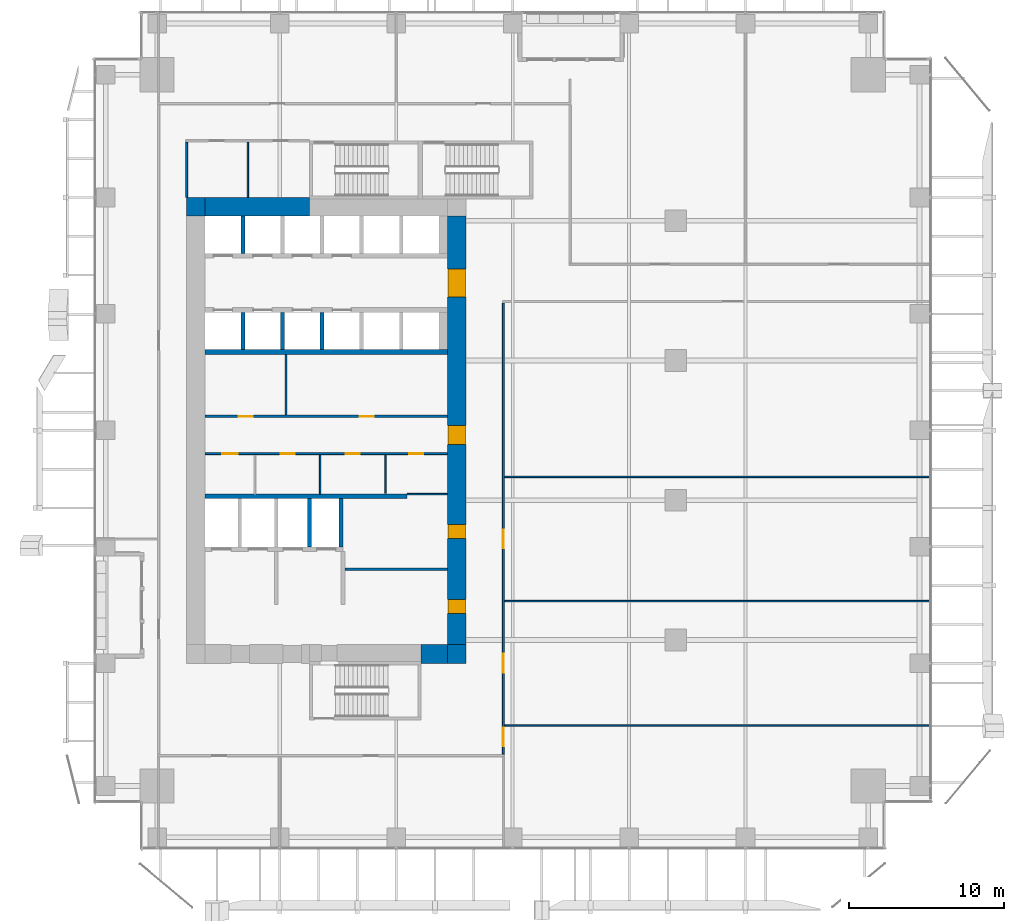
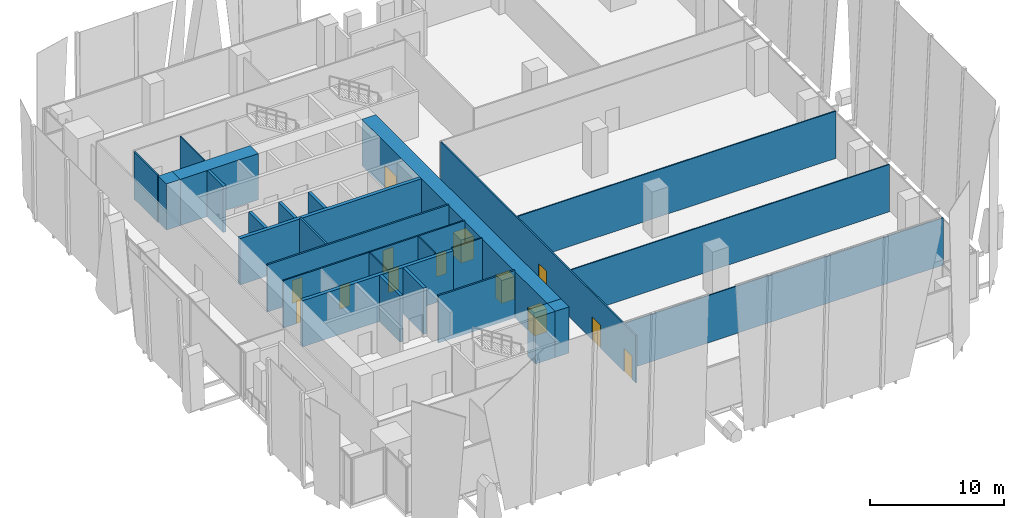
# One storey, part 28 of 35: 26 walls, 13 doors, 13 openings.
"""IFC4 building model written with IfcOpenShell, lengths in metres."""

import ifcopenshell
import ifcopenshell.guid

model = None  # the IFC model being written
_history = None  # IfcOwnerHistory: only IFC2X3 demands one
_inside = {}  # id of a spatial element -> (the spatial element, [elements in it])
_under = {}  # id of a project, library or spatial element -> (it, [spatial elements below it])
_declared = {}  # id of a project -> (the project, [libraries it declares])
_typed = {}  # id of a type object -> (the type object, [elements of that type])
_made_of = {}  # id of a material, layer set ... -> (it, [elements and type objects made of it])


def new_model(schema):
    """Start an empty IFC model of exactly this schema.

    Asked for "IFC4X3", IfcOpenShell would pick the latest addendum, in which some entities
    have other attributes; the version numbers below select the first issue.
    IFC2X3 requires an IfcOwnerHistory on every rooted entity: one is made here for all.
    """
    global model, _history
    if schema == "IFC4X3":
        model = ifcopenshell.file(schema_version=(4, 3, 0, 0))
    else:
        model = ifcopenshell.file(schema=schema)
    _inside.clear()
    _under.clear()
    _declared.clear()
    _typed.clear()
    _made_of.clear()
    _history = None
    if model.schema == "IFC2X3":
        org = make("IfcOrganization", Name="unknown")
        user = make(
            "IfcPersonAndOrganization",
            ThePerson=make("IfcPerson", FamilyName="unknown"),
            TheOrganization=org,
        )
        app = make(
            "IfcApplication",
            ApplicationDeveloper=org,
            Version="unknown",
            ApplicationFullName="unknown",
            ApplicationIdentifier="unknown",
        )
        _history = make(
            "IfcOwnerHistory",
            OwningUser=user,
            OwningApplication=app,
            ChangeAction="ADDED",
            CreationDate=0,
        )
    return model


def make(cls, **values):
    """One entity of the class cls with the attributes given. An attribute that is None is left unset."""
    return model.create_entity(
        cls, **{name: value for name, value in values.items() if value is not None}
    )


def rooted(cls, **values):
    """An entity with a GlobalId (a new one), such as an element, a storey or a relation."""
    return make(cls, GlobalId=ifcopenshell.guid.new(), OwnerHistory=_history, **values)


def si_unit(unit_type, name, prefix=None):
    """IfcSIUnit, for example si_unit("LENGTHUNIT", "METRE", prefix="MILLI")."""
    return make("IfcSIUnit", UnitType=unit_type, Prefix=prefix, Name=name)


def assignment(units):
    """IfcUnitAssignment: the units of a project."""
    return None if units is None else make("IfcUnitAssignment", Units=units)


def point(xyz):
    """IfcCartesianPoint."""
    return None if xyz is None else make("IfcCartesianPoint", Coordinates=xyz)


def direction(xyz):
    """IfcDirection."""
    return None if xyz is None else make("IfcDirection", DirectionRatios=xyz)


def frame(location, z_axis=None, x_axis=None):
    """IfcAxis2Placement3D, a coordinate frame: its origin and axes. An axis left out is left unset."""
    return make(
        "IfcAxis2Placement3D",
        Location=point(location),
        Axis=direction(z_axis),
        RefDirection=direction(x_axis),
    )


def frame_2d(location, x_axis=None):
    """IfcAxis2Placement2D, a coordinate frame in the plane: its origin and x axis."""
    return make(
        "IfcAxis2Placement2D", Location=point(location), RefDirection=direction(x_axis)
    )


def origin():
    """The frame at (0, 0, 0) with its axes left unset."""
    return frame((0.0, 0.0, 0.0))


def place(relative_to, where):
    """IfcLocalPlacement: puts the frame where relative to a parent placement (None: the world)."""
    return make(
        "IfcLocalPlacement", PlacementRelTo=relative_to, RelativePlacement=where
    )


def context(
    kind, dimensions, precision=None, world=None, true_north=None, identifier=None
):
    """IfcGeometricRepresentationContext, for example the 3D "Model" context."""
    return make(
        "IfcGeometricRepresentationContext",
        ContextIdentifier=identifier,
        ContextType=kind,
        CoordinateSpaceDimension=dimensions,
        Precision=precision,
        WorldCoordinateSystem=world,
        TrueNorth=true_north,
    )


def subcontext(parent, identifier, kind, view, scale=None):
    """IfcGeometricRepresentationSubContext, for example "Body" below "Model"."""
    return make(
        "IfcGeometricRepresentationSubContext",
        ContextIdentifier=identifier,
        ContextType=kind,
        ParentContext=parent,
        TargetScale=scale,
        TargetView=view,
    )


def project(units=None, contexts=None):
    """IfcProject with its units and contexts."""
    return rooted(
        "IfcProject",
        Name="project",
        RepresentationContexts=contexts,
        UnitsInContext=assignment(units),
    )


def spatial(cls, under=None, at=None, **own):
    """A site, building, storey or space (cls), placed at a placement, below another one or the project."""
    s = rooted(cls, ObjectPlacement=at, **own)
    if under is not None:
        _under.setdefault(under.id(), (under, []))[1].append(s)
    return s


def profile(cls, at=None, kind="AREA", **sizes):
    """A parametric profile (cls). Its sizes go by their IFC names, for example OverallWidth=200.0."""
    return make(cls, ProfileType=kind, Position=at, **sizes)


def rectangle(**sizes):
    """IfcRectangleProfileDef."""
    return profile("IfcRectangleProfileDef", **sizes)


def extrude(swept, where, along, depth):
    """IfcExtrudedAreaSolid: the profile swept, set in the frame where, extruded along a direction by depth."""
    return make(
        "IfcExtrudedAreaSolid",
        SweptArea=swept,
        Position=where,
        ExtrudedDirection=direction(along),
        Depth=depth,
    )


def shape(context_of_items, identifier, shape_type, items):
    """IfcShapeRepresentation: the items that make up one representation, for example the "Body"."""
    return make(
        "IfcShapeRepresentation",
        ContextOfItems=context_of_items,
        RepresentationIdentifier=identifier,
        RepresentationType=shape_type,
        Items=items,
    )


def source(mapping_origin, context_of_items, identifier, shape_type, items):
    """IfcRepresentationMap: a shape defined once, which mapped items show again and again."""
    return make(
        "IfcRepresentationMap",
        MappingOrigin=mapping_origin,
        MappedRepresentation=shape(context_of_items, identifier, shape_type, items),
    )


def transform(
    local_origin,
    x_axis=None,
    y_axis=None,
    z_axis=None,
    scale=None,
    scale2=None,
    scale3=None,
    uniform=True,
):
    """IfcCartesianTransformationOperator3D, or its non-uniform kind. x_axis, y_axis, z_axis: its Axis1, 2, 3."""
    if uniform:
        return make(
            "IfcCartesianTransformationOperator3D",
            Axis1=direction(x_axis),
            Axis2=direction(y_axis),
            LocalOrigin=point(local_origin),
            Scale=scale,
            Axis3=direction(z_axis),
        )
    return make(
        "IfcCartesianTransformationOperator3DnonUniform",
        Axis1=direction(x_axis),
        Axis2=direction(y_axis),
        LocalOrigin=point(local_origin),
        Scale=scale,
        Axis3=direction(z_axis),
        Scale2=scale2,
        Scale3=scale3,
    )


def mapped(mapping_source, mapping_target):
    """IfcMappedItem: shows the shape of a source again, moved by a transform."""
    return make(
        "IfcMappedItem", MappingSource=mapping_source, MappingTarget=mapping_target
    )


def material(Name=None, Category=None):
    """IfcMaterial."""
    return make("IfcMaterial", Name=Name, Category=Category)


def layer(
    of_material, thickness, ventilated=None, Name=None, Category=None, Priority=None
):
    """IfcMaterialLayer: one layer of a wall or slab, of a material (None: an air gap)."""
    return make(
        "IfcMaterialLayer",
        Material=of_material,
        LayerThickness=thickness,
        IsVentilated=ventilated,
        Name=Name,
        Category=Category,
        Priority=Priority,
    )


def layer_set(layers, Name=None):
    """IfcMaterialLayerSet."""
    return make("IfcMaterialLayerSet", MaterialLayers=layers, LayerSetName=Name)


def made_of(thing, what):
    """Note that an element or type object is made of a material, layer set ...; save() writes the relation."""
    if what is not None:
        _made_of.setdefault(what.id(), (what, []))[1].append(thing)
    return thing


def type_object(cls, material=None, **own):
    """A type object (cls), such as IfcWallType, which elements share."""
    return made_of(rooted(cls, **own), material)


def element(
    cls,
    number,
    at=None,
    inside=None,
    cuts=None,
    type_object=None,
    material=None,
    context=None,
    identifier="Body",
    shape_type=None,
    held_by="IfcProductDefinitionShape",
    body=None,
    shapes=None,
    **own,
):
    """One element of the class cls, such as IfcWall. Its Tag is "e" and its number.

    at: its placement. inside: the storey or other place that contains it. cuts: it is an
    opening in that element (IfcRelVoidsElement). A single representation is given by context,
    identifier, shape_type and body (its items); several are given by shapes. held_by: the class
    of the entity that holds the representations. save() writes the other relations.
    """
    e = rooted(cls, Tag="e%d" % number, ObjectPlacement=at, **own)
    if body is not None:
        shapes = [shape(context, identifier, shape_type, body)]
    if shapes is not None:
        e.Representation = make(held_by, Representations=shapes)
    if inside is not None:
        _inside.setdefault(inside.id(), (inside, []))[1].append(e)
    if cuts is not None:
        rooted(
            "IfcRelVoidsElement", RelatingBuildingElement=cuts, RelatedOpeningElement=e
        )
    if type_object is not None:
        _typed.setdefault(type_object.id(), (type_object, []))[1].append(e)
    return made_of(e, material)


def fill(opening, filler):
    """IfcRelFillsElement: the door or window that sits in an opening."""
    return rooted(
        "IfcRelFillsElement",
        RelatingOpeningElement=opening,
        RelatedBuildingElement=filler,
    )


def aggregate(whole, parts):
    """IfcRelAggregates: a whole, such as a stair, and the parts it consists of."""
    return rooted("IfcRelAggregates", RelatingObject=whole, RelatedObjects=parts)


def save(model, path):
    """Write the relations noted so far, then the file.

    IfcRelAggregates (storeys below a building ...), IfcRelContainedInSpatialStructure (elements
    in a storey), IfcRelDefinesByType, IfcRelAssociatesMaterial and IfcRelDeclares: one each for
    every whole, place, type object, material and project.
    """
    for whole, parts in _under.values():
        aggregate(whole, parts)
    for where, things in _inside.values():
        rooted(
            "IfcRelContainedInSpatialStructure",
            RelatedElements=things,
            RelatingStructure=where,
        )
    for kind, things in _typed.values():
        rooted("IfcRelDefinesByType", RelatedObjects=things, RelatingType=kind)
    for what, things in _made_of.values():
        rooted("IfcRelAssociatesMaterial", RelatedObjects=things, RelatingMaterial=what)
    for by, libraries in _declared.values():
        rooted("IfcRelDeclares", RelatingContext=by, RelatedDefinitions=libraries)
    model.write(path)


model = new_model("IFC4")

# Units and contexts
model_context = context("Model", 3, precision=1e-05, world=origin(), true_north=direction((0.0, 1.0)))
body_context = subcontext(model_context, "Body", "Model", "MODEL_VIEW")
ifc_project = project(units=[si_unit("LENGTHUNIT", "METRE"), si_unit("AREAUNIT", "SQUARE_METRE"), si_unit("VOLUMEUNIT", "CUBIC_METRE"), si_unit("PLANEANGLEUNIT", "RADIAN"), si_unit("MASSUNIT", "GRAM", prefix="KILO")], contexts=[model_context])

# Site, building, storey
site_placement = place(None, origin())
site = spatial("IfcSite", under=ifc_project, at=site_placement, CompositionType="ELEMENT")
building_placement = place(site_placement, origin())
building = spatial("IfcBuilding", under=site, at=building_placement, Name="Khomas Fold Tower", CompositionType="ELEMENT")
storey_placement = place(building_placement, frame((0.0, 0.0, 87.0)))
storey = spatial("IfcBuildingStorey", under=building, at=storey_placement, Name="L18", CompositionType="ELEMENT", Elevation=87.0)

# Walls
ifc_material_1 = material(Name="Concrete C70/85", Category="concrete")
ifc_layer_1 = layer(ifc_material_1, 1.199951171875)
ifc_layer_set_1 = layer_set([ifc_layer_1], Name="Concrete C70/85")
wall_type_1 = type_object("IfcWallType", Name="Core wall 1200", PredefinedType="SHEAR", material=ifc_layer_set_1)
shared_shape_1 = source(origin(), body_context, "Body", "SweptSolid", [
    extrude(rectangle(XDim=6.699951171875, YDim=1.199951171875, at=frame_2d((3.35009765625, 0.0))), origin(), (0.0, 0.0, 1.0), 4.199951171875),
])
wall_1_placement = place(storey_placement, frame((7.199951171875, 41.39990234375, 0.0), z_axis=(0.0, 0.0, 1.0), x_axis=(1.0, 0.0, 0.0)))
element("IfcWall", 1, at=wall_1_placement, inside=storey, type_object=wall_type_1, Name="Core wall CW-L-N-B2", PredefinedType="SHEAR", context=body_context, shape_type="MappedRepresentation", body=[
    mapped(shared_shape_1, transform((0.0, 0.0, 0.0))),
])
ifc_material_2 = material(Name="Concrete C70/85", Category="concrete")
ifc_layer_2 = layer(ifc_material_2, 1.199951171875)
ifc_layer_set_2 = layer_set([ifc_layer_2], Name="Concrete C70/85")
wall_type_2 = type_object("IfcWallType", Name="Core corner wall 1200", PredefinedType="SHEAR", material=ifc_layer_set_2)
shared_shape_2 = source(origin(), body_context, "Body", "SweptSolid", [
    extrude(rectangle(XDim=1.199951171875, YDim=1.199951171875, at=frame_2d((0.60009765625, 0.0))), origin(), (0.0, 0.0, 1.0), 4.199951171875),
])
for number, where, z_axis, x_axis, name in (
    (2, (6.0, 41.39990234375, 0.0), (0.0, 0.0, 1.0), (1.0, 0.0, 0.0), "Core wall CW-L-NW-B2"),
    (3, (22.800048828125, 12.60009765625, 0.0), (0.0, 0.0, 1.0), (1.0, 0.0, 0.0), "Core wall CW-L-SE-B2"),
):
    element("IfcWall", number, at=place(storey_placement, frame(where, z_axis=z_axis, x_axis=x_axis)), inside=storey, type_object=wall_type_2, Name=name, PredefinedType="SHEAR", context=body_context, shape_type="MappedRepresentation", body=[
        mapped(shared_shape_2, transform((0.0, 0.0, 0.0))),
    ])
shared_shape_3 = source(origin(), body_context, "Body", "SweptSolid", [
    extrude(rectangle(XDim=1.699951171875, YDim=1.199951171875, at=frame_2d((0.85009765625, 0.0))), origin(), (0.0, 0.0, 1.0), 4.199951171875),
])
wall_2_placement = place(storey_placement, frame((21.10009765625, 12.60009765625, 0.0), z_axis=(0.0, 0.0, 1.0), x_axis=(1.0, 0.0, 0.0)))
element("IfcWall", 4, at=wall_2_placement, inside=storey, type_object=wall_type_1, Name="Core wall CW-L-S-B2-2", PredefinedType="SHEAR", context=body_context, shape_type="MappedRepresentation", body=[
    mapped(shared_shape_3, transform((0.0, 0.0, 0.0))),
])

# Wall, openings, doors
shared_shape_4 = source(origin(), body_context, "Body", "SweptSolid", [
    extrude(rectangle(XDim=27.60009765625, YDim=1.199951171875, at=frame_2d((13.800048828125, 0.0))), origin(), (0.0, 0.0, 1.0), 4.199951171875),
])
wall_3_placement = place(storey_placement, frame((23.39990234375, 13.199951171875, 0.0), z_axis=(0.0, 0.0, 1.0), x_axis=(0.0, 1.0, 0.0)))
wall_3 = element("IfcWall", 5, at=wall_3_placement, inside=storey, type_object=wall_type_1, Name="Core wall CW-L-E-B2", PredefinedType="SHEAR", context=body_context, shape_type="MappedRepresentation", body=[
    mapped(shared_shape_4, transform((0.0, 0.0, 0.0))),
])
shared_shape_5 = source(origin(), body_context, "Body", "SweptSolid", [
    extrude(rectangle(XDim=1.800048828125, YDim=2.10009765625, at=frame_2d((0.89990234375, 1.050048828125))), frame((0.0, 0.60986328125, 0.0), z_axis=(0.0, -1.0, 0.0), x_axis=(1.0, 0.0, 0.0)), (0.0, 0.0, 1.0), 1.219970703125),
])
opening_1_placement = place(wall_3_placement, frame((22.39990234375, 0.0, 0.0)))
opening_1 = element("IfcOpeningElement", 6, at=opening_1_placement, cuts=wall_3, Name="Opening 0015", PredefinedType="OPENING", context=body_context, shape_type="MappedRepresentation", body=[
    mapped(shared_shape_5, transform((0.0, 0.0, 0.0))),
])
shared_shape_6 = source(origin(), body_context, "Body", "SweptSolid", [
    extrude(rectangle(XDim=1.199951171875, YDim=2.10009765625, at=frame_2d((0.60009765625, 1.050048828125))), frame((0.0, 0.60986328125, 0.0), z_axis=(0.0, -1.0, 0.0), x_axis=(1.0, 0.0, 0.0)), (0.0, 0.0, 1.0), 1.219970703125),
])
opening_2_placement = place(wall_3_placement, frame((12.89990234375, 0.0, 0.0)))
opening_2 = element("IfcOpeningElement", 7, at=opening_2_placement, cuts=wall_3, Name="Opening 0001", PredefinedType="OPENING", context=body_context, shape_type="MappedRepresentation", body=[
    mapped(shared_shape_6, transform((0.0, 0.0, 0.0))),
])
shared_shape_7 = source(origin(), body_context, "Body", "SweptSolid", [
    extrude(rectangle(XDim=0.89990234375, YDim=2.10009765625, at=frame_2d((0.449951171875, 1.050048828125))), frame((0.0, 0.60986328125, 0.0), z_axis=(0.0, -1.0, 0.0), x_axis=(1.0, 0.0, 0.0)), (0.0, 0.0, 1.0), 1.219970703125),
])
opening_3_placement = place(wall_3_placement, frame((2.0, 0.0, 0.0)))
opening_3 = element("IfcOpeningElement", 8, at=opening_3_placement, cuts=wall_3, Name="Opening 0003", PredefinedType="OPENING", context=body_context, shape_type="MappedRepresentation", body=[
    mapped(shared_shape_7, transform((0.0, 0.0, 0.0))),
])
opening_4_placement = place(wall_3_placement, frame((6.85009765625, 0.0, 0.0)))
opening_4 = element("IfcOpeningElement", 9, at=opening_4_placement, cuts=wall_3, Name="Opening 0008", PredefinedType="OPENING", context=body_context, shape_type="MappedRepresentation", body=[
    mapped(shared_shape_7, transform((0.0, 0.0, 0.0))),
])
ifc_material_3 = material(Name="Timber door leaf", Category="wood")
door_type_1 = type_object("IfcDoorType", Name="Door 1200x2100 right-hand", OperationType="SINGLE_SWING_RIGHT", PredefinedType="DOOR", material=ifc_material_3)
shared_shape_8 = source(origin(), body_context, "Body", "SweptSolid", [
    extrude(rectangle(XDim=1.199951171875, YDim=2.10009765625, at=frame_2d((0.60009765625, 1.050048828125))), frame((0.0, 0.5498046875, 0.0), z_axis=(0.0, -1.0, 0.0), x_axis=(1.0, 0.0, 0.0)), (0.0, 0.0, 1.0), 1.099853515625),
])
door_1_placement = place(opening_2_placement, origin())
door_1 = element("IfcDoor", 10, at=door_1_placement, inside=storey, type_object=door_type_1, Name="Door", OperationType="SINGLE_SWING_RIGHT", OverallHeight=2.10009765625, OverallWidth=1.199951171875, PredefinedType="DOOR", context=body_context, shape_type="MappedRepresentation", body=[
    mapped(shared_shape_8, transform((0.0, 0.0, 0.0))),
])
fill(opening_2, door_1)
ifc_material_4 = material(Name="Steel door leaf", Category="steel")
door_type_2 = type_object("IfcDoorType", Name="Plant room door 900x2100 right-hand", OperationType="SINGLE_SWING_RIGHT", PredefinedType="DOOR", material=ifc_material_4)
shared_shape_9 = source(origin(), body_context, "Body", "SweptSolid", [
    extrude(rectangle(XDim=0.89990234375, YDim=2.10009765625, at=frame_2d((0.449951171875, 1.050048828125))), frame((0.0, 0.5498046875, 0.0), z_axis=(0.0, -1.0, 0.0), x_axis=(1.0, 0.0, 0.0)), (0.0, 0.0, 1.0), 1.099853515625),
])
door_2_placement = place(opening_3_placement, origin())
door_2 = element("IfcDoor", 11, at=door_2_placement, inside=storey, type_object=door_type_2, Name="Plant room door", OperationType="SINGLE_SWING_RIGHT", OverallHeight=2.10009765625, OverallWidth=0.89990234375, PredefinedType="DOOR", context=body_context, shape_type="MappedRepresentation", body=[
    mapped(shared_shape_9, transform((0.0, 0.0, 0.0))),
])
fill(opening_3, door_2)
ifc_material_5 = material(Name="Timber door leaf", Category="wood")
door_type_3 = type_object("IfcDoorType", Name="Door 900x2100 right-hand", OperationType="SINGLE_SWING_RIGHT", PredefinedType="DOOR", material=ifc_material_5)
door_3_placement = place(opening_4_placement, origin())
door_3 = element("IfcDoor", 12, at=door_3_placement, inside=storey, type_object=door_type_3, Name="Door", OperationType="SINGLE_SWING_RIGHT", OverallHeight=2.10009765625, OverallWidth=0.89990234375, PredefinedType="DOOR", context=body_context, shape_type="MappedRepresentation", body=[
    mapped(shared_shape_9, transform((0.0, 0.0, 0.0))),
])
fill(opening_4, door_3)
ifc_material_6 = material(Name="Steel door leaf", Category="steel")
door_type_4 = type_object("IfcDoorType", Name="Lobby door 1800x2100", OperationType="DOUBLE_DOOR_SINGLE_SWING", PredefinedType="DOOR", material=ifc_material_6)
shared_shape_10 = source(origin(), body_context, "Body", "SweptSolid", [
    extrude(rectangle(XDim=1.800048828125, YDim=2.10009765625, at=frame_2d((0.89990234375, 1.050048828125))), frame((0.0, 0.5498046875, 0.0), z_axis=(0.0, -1.0, 0.0), x_axis=(1.0, 0.0, 0.0)), (0.0, 0.0, 1.0), 1.099853515625),
])
door_4_placement = place(opening_1_placement, origin())
door_4 = element("IfcDoor", 13, at=door_4_placement, inside=storey, type_object=door_type_4, Name="Lobby door", OperationType="DOUBLE_DOOR_SINGLE_SWING", OverallHeight=2.10009765625, OverallWidth=1.800048828125, PredefinedType="DOOR", context=body_context, shape_type="MappedRepresentation", body=[
    mapped(shared_shape_10, transform((0.0, 0.0, 0.0))),
])
fill(opening_1, door_4)

# Walls
ifc_material_7 = material(Name="Concrete C50/60", Category="concrete")
ifc_layer_3 = layer(ifc_material_7, 0.300048828125)
ifc_layer_set_3 = layer_set([ifc_layer_3], Name="Concrete C50/60")
wall_type_3 = type_object("IfcWallType", Name="Shaft wall 300", PredefinedType="STANDARD", material=ifc_layer_set_3)
shared_shape_11 = source(origin(), body_context, "Body", "SweptSolid", [
    extrude(rectangle(XDim=13.0, YDim=0.300048828125, at=frame_2d((6.5, 0.0))), origin(), (0.0, 0.0, 1.0), 4.199951171875),
])
wall_4_placement = place(storey_placement, frame((7.199951171875, 22.75, 0.0), z_axis=(0.0, 0.0, 1.0), x_axis=(1.0, 0.0, 0.0)))
element("IfcWall", 14, at=wall_4_placement, inside=storey, type_object=wall_type_3, Name="Core wall SW-FS-B", PredefinedType="STANDARD", context=body_context, shape_type="MappedRepresentation", body=[
    mapped(shared_shape_11, transform((0.0, 0.0, 0.0))),
])
shared_shape_12 = source(origin(), body_context, "Body", "SweptSolid", [
    extrude(rectangle(XDim=15.60009765625, YDim=0.300048828125, at=frame_2d((7.800048828125, 0.0))), origin(), (0.0, 0.0, 1.0), 4.199951171875),
])
wall_5_placement = place(storey_placement, frame((7.199951171875, 32.050048828125, 0.0), z_axis=(0.0, 0.0, 1.0), x_axis=(1.0, 0.0, 0.0)))
element("IfcWall", 15, at=wall_5_placement, inside=storey, type_object=wall_type_3, Name="Core wall SW-HRN-B", PredefinedType="STANDARD", context=body_context, shape_type="MappedRepresentation", body=[
    mapped(shared_shape_12, transform((0.0, 0.0, 0.0))),
])
ifc_material_8 = material(Name="Concrete C50/60", Category="concrete")
ifc_layer_4 = layer(ifc_material_8, 0.25)
ifc_layer_set_4 = layer_set([ifc_layer_4], Name="Concrete C50/60")
wall_type_4 = type_object("IfcWallType", Name="Shaft wall 250", PredefinedType="STANDARD", material=ifc_layer_set_4)
shared_shape_13 = source(origin(), body_context, "Body", "SweptSolid", [
    extrude(rectangle(XDim=3.10009765625, YDim=0.25, at=frame_2d((1.550048828125, 0.0))), origin(), (0.0, 0.0, 1.0), 4.199951171875),
])
for number, where, z_axis, x_axis, name in (
    (16, (13.925048828125, 19.5, 0.0), (0.0, 0.0, 1.0), (0.0, 1.0, 0.0), "Core wall SW-FS-P3"),
    (17, (15.949951171875, 19.5, 0.0), (0.0, 0.0, 1.0), (0.0, 1.0, 0.0), "Core wall SW-FS-PE"),
):
    element("IfcWall", number, at=place(storey_placement, frame(where, z_axis=z_axis, x_axis=x_axis)), inside=storey, type_object=wall_type_4, Name=name, PredefinedType="STANDARD", context=body_context, shape_type="MappedRepresentation", body=[
        mapped(shared_shape_13, transform((0.0, 0.0, 0.0))),
    ])
shared_shape_14 = source(origin(), body_context, "Body", "SweptSolid", [
    extrude(rectangle(XDim=2.400146484375, YDim=0.25, at=frame_2d((1.2001953125, 0.0))), origin(), (0.0, 0.0, 1.0), 4.199951171875),
])
for number, where, z_axis, x_axis, name in (
    (18, (9.625, 38.39990234375, 0.0), (0.0, 0.0, 1.0), (0.0, 1.0, 0.0), "Core wall SW-LRN-P1"),
    (19, (9.625, 32.199951171875, 0.0), (0.0, 0.0, 1.0), (0.0, 1.0, 0.0), "Core wall SW-LRS-P1"),
    (20, (12.175048828125, 32.199951171875, 0.0), (0.0, 0.0, 1.0), (0.0, 1.0, 0.0), "Core wall SW-LRS-P2"),
    (21, (14.72509765625, 32.199951171875, 0.0), (0.0, 0.0, 1.0), (0.0, 1.0, 0.0), "Core wall SW-LRS-P3"),
):
    element("IfcWall", number, at=place(storey_placement, frame(where, z_axis=z_axis, x_axis=x_axis)), inside=storey, type_object=wall_type_4, Name=name, PredefinedType="STANDARD", context=body_context, shape_type="MappedRepresentation", body=[
        mapped(shared_shape_14, transform((0.0, 0.0, 0.0))),
    ])
ifc_material_9 = material(Name="Plasterboard partition")
ifc_layer_5 = layer(ifc_material_9, 0.10009765625)
ifc_layer_set_5 = layer_set([ifc_layer_5], Name="Plasterboard partition")
wall_type_5 = type_object("IfcWallType", Name="Partition PW1 100", PredefinedType="PARTITIONING", material=ifc_layer_set_5)
shared_shape_15 = source(origin(), body_context, "Body", "SweptSolid", [
    extrude(rectangle(XDim=27.35009765625, YDim=0.10009765625, at=frame_2d((13.675048828125, 0.0))), origin(), (0.0, 0.0, 1.0), 4.300048828125),
])
for number, where, z_axis, x_axis, name in (
    (22, (26.5, 8.0, 0.0), (0.0, 0.0, 1.0), (1.0, 0.0, 0.0), "Partition"),
    (23, (26.5, 16.0, 0.0), (0.0, 0.0, 1.0), (1.0, 0.0, 0.0), "Partition"),
    (24, (26.5, 24.0, 0.0), (0.0, 0.0, 1.0), (1.0, 0.0, 0.0), "Partition"),
):
    element("IfcWall", number, at=place(storey_placement, frame(where, z_axis=z_axis, x_axis=x_axis)), inside=storey, type_object=wall_type_5, Name=name, PredefinedType="PARTITIONING", context=body_context, shape_type="MappedRepresentation", body=[
        mapped(shared_shape_15, transform((0.0, 0.0, 0.0))),
    ])
ifc_material_10 = material(Name="Plasterboard fire partition")
ifc_layer_6 = layer(ifc_material_10, 0.14990234375)
ifc_layer_set_6 = layer_set([ifc_layer_6], Name="Plasterboard fire partition")
wall_type_6 = type_object("IfcWallType", Name="Plant room wall PW3 150", PredefinedType="PARTITIONING", material=ifc_layer_set_6)
shared_shape_16 = source(origin(), body_context, "Body", "SweptSolid", [
    extrude(rectangle(XDim=6.60009765625, YDim=0.14990234375, at=frame_2d((3.300048828125, 0.0))), origin(), (0.0, 0.0, 1.0), 4.300048828125),
])
wall_6_placement = place(storey_placement, frame((16.199951171875, 18.050048828125, 0.0), z_axis=(0.0, 0.0, 1.0), x_axis=(1.0, 0.0, 0.0)))
element("IfcWall", 25, at=wall_6_placement, inside=storey, type_object=wall_type_6, Name="Plant room wall", PredefinedType="PARTITIONING", context=body_context, shape_type="MappedRepresentation", body=[
    mapped(shared_shape_16, transform((0.0, 0.0, 0.0))),
])
shared_shape_17 = source(origin(), body_context, "Body", "SweptSolid", [
    extrude(rectangle(XDim=3.550048828125, YDim=0.10009765625, at=frame_2d((1.77490234375, 0.0))), origin(), (0.0, 0.0, 1.0), 4.300048828125),
])
wall_7_placement = place(storey_placement, frame((9.949951171875, 42.0, 0.0), z_axis=(0.0, 0.0, 1.0), x_axis=(0.0, 1.0, 0.0)))
element("IfcWall", 26, at=wall_7_placement, inside=storey, type_object=wall_type_5, Name="Partition", PredefinedType="PARTITIONING", context=body_context, shape_type="MappedRepresentation", body=[
    mapped(shared_shape_17, transform((0.0, 0.0, 0.0))),
])

# Wall, openings, doors
shared_shape_18 = source(origin(), body_context, "Body", "SweptSolid", [
    extrude(rectangle(XDim=15.60009765625, YDim=0.14990234375, at=frame_2d((7.800048828125, 0.0))), origin(), (0.0, 0.0, 1.0), 4.300048828125),
])
wall_8_placement = place(storey_placement, frame((7.199951171875, 27.89990234375, 0.0), z_axis=(0.0, 0.0, 1.0), x_axis=(1.0, 0.0, 0.0)))
wall_8 = element("IfcWall", 27, at=wall_8_placement, inside=storey, type_object=wall_type_6, Name="Plant room wall", PredefinedType="PARTITIONING", context=body_context, shape_type="MappedRepresentation", body=[
    mapped(shared_shape_18, transform((0.0, 0.0, 0.0))),
])
shared_shape_19 = source(origin(), body_context, "Body", "SweptSolid", [
    extrude(rectangle(XDim=0.89990234375, YDim=2.10009765625, at=frame_2d((0.449951171875, 1.050048828125))), frame((0.0, 0.0849609375, 0.0), z_axis=(0.0, -1.0, 0.0), x_axis=(1.0, 0.0, 0.0)), (0.0, 0.0, 1.0), 0.169921875),
])
opening_5_placement = place(wall_8_placement, frame((2.14990234375, 0.0, 0.0)))
opening_5 = element("IfcOpeningElement", 28, at=opening_5_placement, cuts=wall_8, Name="Opening 0002", PredefinedType="OPENING", context=body_context, shape_type="MappedRepresentation", body=[
    mapped(shared_shape_19, transform((0.0, 0.0, 0.0))),
])
opening_6_placement = place(wall_8_placement, frame((9.949951171875, 0.0, 0.0)))
opening_6 = element("IfcOpeningElement", 29, at=opening_6_placement, cuts=wall_8, Name="Opening 0003", PredefinedType="OPENING", context=body_context, shape_type="MappedRepresentation", body=[
    mapped(shared_shape_19, transform((0.0, 0.0, 0.0))),
])
ifc_material_11 = material(Name="Steel door leaf", Category="steel")
door_type_5 = type_object("IfcDoorType", Name="Plant room door 900x2100 left-hand", OperationType="SINGLE_SWING_LEFT", PredefinedType="DOOR", material=ifc_material_11)
shared_shape_20 = source(origin(), body_context, "Body", "SweptSolid", [
    extrude(rectangle(XDim=0.89990234375, YDim=2.10009765625, at=frame_2d((0.449951171875, 1.050048828125))), frame((0.0, 0.02490234375, 0.0), z_axis=(0.0, -1.0, 0.0), x_axis=(1.0, 0.0, 0.0)), (0.0, 0.0, 1.0), 0.050048828125),
])
door_5_placement = place(opening_5_placement, origin())
door_5 = element("IfcDoor", 30, at=door_5_placement, inside=storey, type_object=door_type_5, Name="Plant room door", OperationType="SINGLE_SWING_LEFT", OverallHeight=2.10009765625, OverallWidth=0.89990234375, PredefinedType="DOOR", context=body_context, shape_type="MappedRepresentation", body=[
    mapped(shared_shape_20, transform((0.0, 0.0, 0.0))),
])
fill(opening_5, door_5)
door_6_placement = place(opening_6_placement, origin())
door_6 = element("IfcDoor", 31, at=door_6_placement, inside=storey, type_object=door_type_2, Name="Plant room door", OperationType="SINGLE_SWING_RIGHT", OverallHeight=2.10009765625, OverallWidth=0.89990234375, PredefinedType="DOOR", context=body_context, shape_type="MappedRepresentation", body=[
    mapped(shared_shape_20, transform((0.0, 0.0, 0.0))),
])
fill(opening_6, door_6)

# Walls
ifc_material_12 = material(Name="Plasterboard partition")
ifc_layer_7 = layer(ifc_material_12, 0.125)
ifc_layer_set_7 = layer_set([ifc_layer_7], Name="Plasterboard partition")
wall_type_7 = type_object("IfcWallType", Name="Partition PW2 125", PredefinedType="PARTITIONING", material=ifc_layer_set_7)
shared_shape_21 = source(origin(), body_context, "Body", "SweptSolid", [
    extrude(rectangle(XDim=3.550048828125, YDim=0.125, at=frame_2d((1.77490234375, 0.0))), origin(), (0.0, 0.0, 1.0), 4.300048828125),
])
wall_9_placement = place(storey_placement, frame((6.0, 42.0, 0.0), z_axis=(0.0, 0.0, 1.0), x_axis=(0.0, 1.0, 0.0)))
element("IfcWall", 32, at=wall_9_placement, inside=storey, type_object=wall_type_7, Name="Partition", PredefinedType="PARTITIONING", context=body_context, shape_type="MappedRepresentation", body=[
    mapped(shared_shape_21, transform((0.0, 0.0, 0.0))),
])
shared_shape_22 = source(origin(), body_context, "Body", "SweptSolid", [
    extrude(rectangle(XDim=2.60009765625, YDim=0.10009765625, at=frame_2d((1.300048828125, 0.0))), origin(), (0.0, 0.0, 1.0), 4.300048828125),
])
wall_10_placement = place(storey_placement, frame((20.199951171875, 22.89990234375, 0.0), z_axis=(0.0, 0.0, 1.0), x_axis=(1.0, 0.0, 0.0)))
element("IfcWall", 33, at=wall_10_placement, inside=storey, type_object=wall_type_5, Name="Partition", PredefinedType="PARTITIONING", context=body_context, shape_type="MappedRepresentation", body=[
    mapped(shared_shape_22, transform((0.0, 0.0, 0.0))),
])

# Wall, openings, doors
shared_shape_23 = source(origin(), body_context, "Body", "SweptSolid", [
    extrude(rectangle(XDim=15.60009765625, YDim=0.125, at=frame_2d((7.800048828125, 0.0))), origin(), (0.0, 0.0, 1.0), 4.300048828125),
])
wall_11_placement = place(storey_placement, frame((7.199951171875, 25.5, 0.0), z_axis=(0.0, 0.0, 1.0), x_axis=(1.0, 0.0, 0.0)))
wall_11 = element("IfcWall", 34, at=wall_11_placement, inside=storey, type_object=wall_type_7, Name="Partition", PredefinedType="PARTITIONING", context=body_context, shape_type="MappedRepresentation", body=[
    mapped(shared_shape_23, transform((0.0, 0.0, 0.0))),
])
shared_shape_24 = source(origin(), body_context, "Body", "SweptSolid", [
    extrude(rectangle(XDim=1.0, YDim=2.10009765625, at=frame_2d((0.5, 1.050048828125))), frame((0.0, 0.072509765625, 0.0), z_axis=(0.0, -1.0, 0.0), x_axis=(1.0, 0.0, 0.0)), (0.0, 0.0, 1.0), 0.14501953125),
])
opening_7_placement = place(wall_11_placement, frame((1.10009765625, 0.0, 0.0)))
opening_7 = element("IfcOpeningElement", 35, at=opening_7_placement, cuts=wall_11, Name="Opening 0006", PredefinedType="OPENING", context=body_context, shape_type="MappedRepresentation", body=[
    mapped(shared_shape_24, transform((0.0, 0.0, 0.0))),
])
shared_shape_25 = source(origin(), body_context, "Body", "SweptSolid", [
    extrude(rectangle(XDim=0.89990234375, YDim=2.10009765625, at=frame_2d((0.449951171875, 1.050048828125))), frame((0.0, 0.072509765625, 0.0), z_axis=(0.0, -1.0, 0.0), x_axis=(1.0, 0.0, 0.0)), (0.0, 0.0, 1.0), 0.14501953125),
])
opening_8_placement = place(wall_11_placement, frame((4.85009765625, 0.0, 0.0)))
opening_8 = element("IfcOpeningElement", 36, at=opening_8_placement, cuts=wall_11, Name="Opening 0005", PredefinedType="OPENING", context=body_context, shape_type="MappedRepresentation", body=[
    mapped(shared_shape_25, transform((0.0, 0.0, 0.0))),
])
opening_9_placement = place(wall_11_placement, frame((9.050048828125, 0.0, 0.0)))
opening_9 = element("IfcOpeningElement", 37, at=opening_9_placement, cuts=wall_11, Name="Opening 0004", PredefinedType="OPENING", context=body_context, shape_type="MappedRepresentation", body=[
    mapped(shared_shape_25, transform((0.0, 0.0, 0.0))),
])
opening_10_placement = place(wall_11_placement, frame((13.14990234375, 0.0, 0.0)))
opening_10 = element("IfcOpeningElement", 38, at=opening_10_placement, cuts=wall_11, Name="Opening 0007", PredefinedType="OPENING", context=body_context, shape_type="MappedRepresentation", body=[
    mapped(shared_shape_25, transform((0.0, 0.0, 0.0))),
])
ifc_material_13 = material(Name="Timber door leaf", Category="wood")
door_type_6 = type_object("IfcDoorType", Name="WC door 900x2100 left-hand", OperationType="SINGLE_SWING_LEFT", PredefinedType="DOOR", material=ifc_material_13)
door_7_placement = place(opening_8_placement, origin())
door_7 = element("IfcDoor", 39, at=door_7_placement, inside=storey, type_object=door_type_6, Name="WC door", OperationType="SINGLE_SWING_LEFT", OverallHeight=2.10009765625, OverallWidth=0.89990234375, PredefinedType="DOOR", context=body_context, shape_type="MappedRepresentation", body=[
    mapped(shared_shape_20, transform((0.0, 0.0, 0.0))),
])
fill(opening_8, door_7)
ifc_material_14 = material(Name="Timber door leaf", Category="wood")
door_type_7 = type_object("IfcDoorType", Name="WC door 900x2100 right-hand", OperationType="SINGLE_SWING_RIGHT", PredefinedType="DOOR", material=ifc_material_14)
door_8_placement = place(opening_9_placement, origin())
door_8 = element("IfcDoor", 40, at=door_8_placement, inside=storey, type_object=door_type_7, Name="WC door", OperationType="SINGLE_SWING_RIGHT", OverallHeight=2.10009765625, OverallWidth=0.89990234375, PredefinedType="DOOR", context=body_context, shape_type="MappedRepresentation", body=[
    mapped(shared_shape_20, transform((0.0, 0.0, 0.0))),
])
fill(opening_9, door_8)
ifc_material_15 = material(Name="Timber door leaf", Category="wood")
door_type_8 = type_object("IfcDoorType", Name="Door 900x2100 left-hand", OperationType="SINGLE_SWING_LEFT", PredefinedType="DOOR", material=ifc_material_15)
door_9_placement = place(opening_10_placement, origin())
door_9 = element("IfcDoor", 41, at=door_9_placement, inside=storey, type_object=door_type_8, Name="Door", OperationType="SINGLE_SWING_LEFT", OverallHeight=2.10009765625, OverallWidth=0.89990234375, PredefinedType="DOOR", context=body_context, shape_type="MappedRepresentation", body=[
    mapped(shared_shape_20, transform((0.0, 0.0, 0.0))),
])
fill(opening_10, door_9)
ifc_material_16 = material(Name="Timber door leaf", Category="wood")
door_type_9 = type_object("IfcDoorType", Name="WC door 1000x2100 right-hand", OperationType="SINGLE_SWING_RIGHT", PredefinedType="DOOR", material=ifc_material_16)
shared_shape_26 = source(origin(), body_context, "Body", "SweptSolid", [
    extrude(rectangle(XDim=1.0, YDim=2.10009765625, at=frame_2d((0.5, 1.050048828125))), frame((0.0, 0.02490234375, 0.0), z_axis=(0.0, -1.0, 0.0), x_axis=(1.0, 0.0, 0.0)), (0.0, 0.0, 1.0), 0.050048828125),
])
door_10_placement = place(opening_7_placement, origin())
door_10 = element("IfcDoor", 42, at=door_10_placement, inside=storey, type_object=door_type_9, Name="WC door", OperationType="SINGLE_SWING_RIGHT", OverallHeight=2.10009765625, OverallWidth=1.0, PredefinedType="DOOR", context=body_context, shape_type="MappedRepresentation", body=[
    mapped(shared_shape_26, transform((0.0, 0.0, 0.0))),
])
fill(opening_7, door_10)

shared_shape_27 = source(origin(), body_context, "Body", "SweptSolid", [
    extrude(rectangle(XDim=29.050048828125, YDim=0.125, at=frame_2d((14.52490234375, 0.0))), origin(), (0.0, 0.0, 1.0), 4.300048828125),
])
wall_12_placement = place(storey_placement, frame((26.39990234375, 6.14990234375, 0.0), z_axis=(0.0, 0.0, 1.0), x_axis=(0.0, 1.0, 0.0)))
wall_12 = element("IfcWall", 43, at=wall_12_placement, inside=storey, type_object=wall_type_7, Name="Partition", PredefinedType="PARTITIONING", context=body_context, shape_type="MappedRepresentation", body=[
    mapped(shared_shape_27, transform((0.0, 0.0, 0.0))),
])
shared_shape_28 = source(origin(), body_context, "Body", "SweptSolid", [
    extrude(rectangle(XDim=1.199951171875, YDim=2.10009765625, at=frame_2d((0.60009765625, 1.050048828125))), frame((0.0, 0.072509765625, 0.0), z_axis=(0.0, -1.0, 0.0), x_axis=(1.0, 0.0, 0.0)), (0.0, 0.0, 1.0), 0.14501953125),
])
opening_11_placement = place(wall_12_placement, frame((0.5, 0.0, 0.0)))
opening_11 = element("IfcOpeningElement", 44, at=opening_11_placement, cuts=wall_12, Name="Opening 0001", PredefinedType="OPENING", context=body_context, shape_type="MappedRepresentation", body=[
    mapped(shared_shape_28, transform((0.0, 0.0, 0.0))),
])
opening_12_placement = place(wall_12_placement, frame((5.25, 0.0, 0.0)))
opening_12 = element("IfcOpeningElement", 45, at=opening_12_placement, cuts=wall_12, Name="Opening 0001", PredefinedType="OPENING", context=body_context, shape_type="MappedRepresentation", body=[
    mapped(shared_shape_28, transform((0.0, 0.0, 0.0))),
])
opening_13_placement = place(wall_12_placement, frame((13.25, 0.0, 0.0)))
opening_13 = element("IfcOpeningElement", 46, at=opening_13_placement, cuts=wall_12, Name="Opening 0013", PredefinedType="OPENING", context=body_context, shape_type="MappedRepresentation", body=[
    mapped(shared_shape_28, transform((0.0, 0.0, 0.0))),
])
shared_shape_29 = source(origin(), body_context, "Body", "SweptSolid", [
    extrude(rectangle(XDim=1.199951171875, YDim=2.10009765625, at=frame_2d((0.60009765625, 1.050048828125))), frame((0.0, 0.02490234375, 0.0), z_axis=(0.0, -1.0, 0.0), x_axis=(1.0, 0.0, 0.0)), (0.0, 0.0, 1.0), 0.050048828125),
])
door_11_placement = place(opening_11_placement, origin())
door_11 = element("IfcDoor", 47, at=door_11_placement, inside=storey, type_object=door_type_1, Name="Door", OperationType="SINGLE_SWING_RIGHT", OverallHeight=2.10009765625, OverallWidth=1.199951171875, PredefinedType="DOOR", context=body_context, shape_type="MappedRepresentation", body=[
    mapped(shared_shape_29, transform((0.0, 0.0, 0.0))),
])
fill(opening_11, door_11)
door_12_placement = place(opening_12_placement, origin())
door_12 = element("IfcDoor", 48, at=door_12_placement, inside=storey, type_object=door_type_1, Name="Door", OperationType="SINGLE_SWING_RIGHT", OverallHeight=2.10009765625, OverallWidth=1.199951171875, PredefinedType="DOOR", context=body_context, shape_type="MappedRepresentation", body=[
    mapped(shared_shape_29, transform((0.0, 0.0, 0.0))),
])
fill(opening_12, door_12)
ifc_material_17 = material(Name="Timber door leaf", Category="wood")
door_type_10 = type_object("IfcDoorType", Name="Door 1200x2100 left-hand", OperationType="SINGLE_SWING_LEFT", PredefinedType="DOOR", material=ifc_material_17)
door_13_placement = place(opening_13_placement, origin())
door_13 = element("IfcDoor", 49, at=door_13_placement, inside=storey, type_object=door_type_10, Name="Door", OperationType="SINGLE_SWING_LEFT", OverallHeight=2.10009765625, OverallWidth=1.199951171875, PredefinedType="DOOR", context=body_context, shape_type="MappedRepresentation", body=[
    mapped(shared_shape_29, transform((0.0, 0.0, 0.0))),
])
fill(opening_13, door_13)

# Walls
shared_shape_30 = source(origin(), body_context, "Body", "SweptSolid", [
    extrude(rectangle(XDim=2.5, YDim=0.10009765625, at=frame_2d((1.25, 0.0))), origin(), (0.0, 0.0, 1.0), 4.300048828125),
])
wall_13_placement = place(storey_placement, frame((14.60009765625, 22.89990234375, 0.0), z_axis=(0.0, 0.0, 1.0), x_axis=(0.0, 1.0, 0.0)))
element("IfcWall", 50, at=wall_13_placement, inside=storey, type_object=wall_type_5, Name="Partition", PredefinedType="PARTITIONING", context=body_context, shape_type="MappedRepresentation", body=[
    mapped(shared_shape_30, transform((0.0, 0.0, 0.0))),
])
shared_shape_31 = source(origin(), body_context, "Body", "SweptSolid", [
    extrude(rectangle(XDim=2.449951171875, YDim=0.10009765625, at=frame_2d((1.22509765625, 0.0))), origin(), (0.0, 0.0, 1.0), 4.300048828125),
])
wall_14_placement = place(storey_placement, frame((18.800048828125, 22.949951171875, 0.0), z_axis=(0.0, 0.0, 1.0), x_axis=(0.0, 1.0, 0.0)))
element("IfcWall", 51, at=wall_14_placement, inside=storey, type_object=wall_type_5, Name="Partition", PredefinedType="PARTITIONING", context=body_context, shape_type="MappedRepresentation", body=[
    mapped(shared_shape_31, transform((0.0, 0.0, 0.0))),
])
shared_shape_32 = source(origin(), body_context, "Body", "SweptSolid", [
    extrude(rectangle(XDim=3.89990234375, YDim=0.14990234375, at=frame_2d((1.949951171875, 0.0))), origin(), (0.0, 0.0, 1.0), 4.300048828125),
])
wall_15_placement = place(storey_placement, frame((12.39990234375, 28.0, 0.0), z_axis=(0.0, 0.0, 1.0), x_axis=(0.0, 1.0, 0.0)))
element("IfcWall", 52, at=wall_15_placement, inside=storey, type_object=wall_type_6, Name="Plant room wall", PredefinedType="PARTITIONING", context=body_context, shape_type="MappedRepresentation", body=[
    mapped(shared_shape_32, transform((0.0, 0.0, 0.0))),
])

save(model, "model.ifc")
